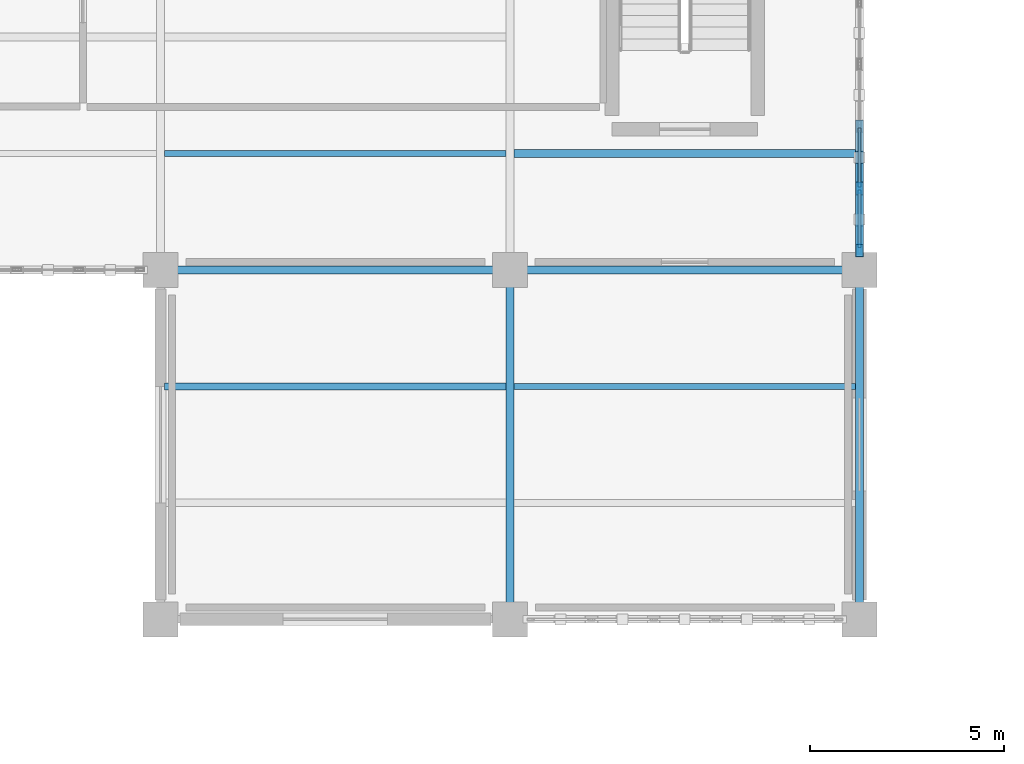
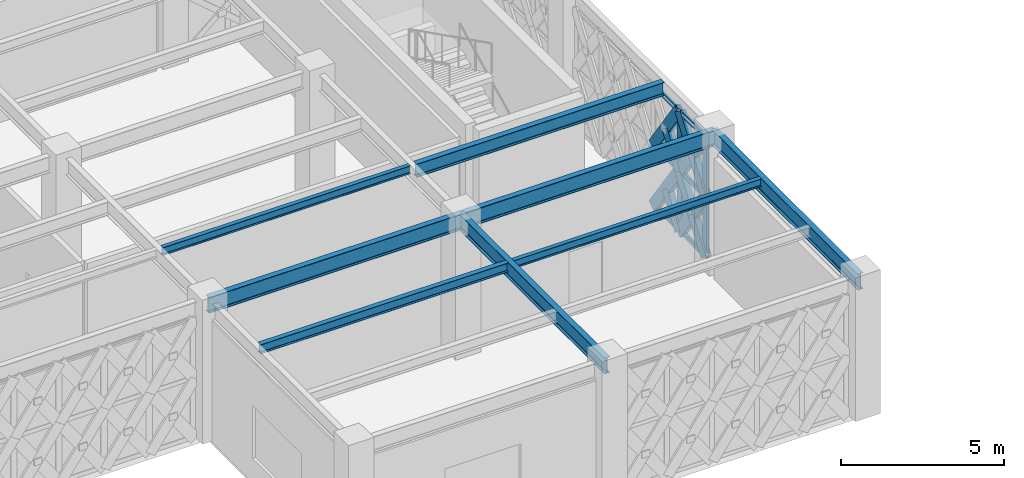
# One storey, part 11 of 166: 18 members, 8 beams, 1 element without a shape of its own.
"""IFC4 building model written with IfcOpenShell, lengths in metres."""

import ifcopenshell
import ifcopenshell.guid

model = None  # the IFC model being written
_history = None  # IfcOwnerHistory: only IFC2X3 demands one
_inside = {}  # id of a spatial element -> (the spatial element, [elements in it])
_under = {}  # id of a project, library or spatial element -> (it, [spatial elements below it])
_declared = {}  # id of a project -> (the project, [libraries it declares])
_typed = {}  # id of a type object -> (the type object, [elements of that type])
_made_of = {}  # id of a material, layer set ... -> (it, [elements and type objects made of it])


def new_model(schema):
    """Start an empty IFC model of exactly this schema.

    Asked for "IFC4X3", IfcOpenShell would pick the latest addendum, in which some entities
    have other attributes; the version numbers below select the first issue.
    IFC2X3 requires an IfcOwnerHistory on every rooted entity: one is made here for all.
    """
    global model, _history
    if schema == "IFC4X3":
        model = ifcopenshell.file(schema_version=(4, 3, 0, 0))
    else:
        model = ifcopenshell.file(schema=schema)
    _inside.clear()
    _under.clear()
    _declared.clear()
    _typed.clear()
    _made_of.clear()
    _history = None
    if model.schema == "IFC2X3":
        org = make("IfcOrganization", Name="unknown")
        user = make(
            "IfcPersonAndOrganization",
            ThePerson=make("IfcPerson", FamilyName="unknown"),
            TheOrganization=org,
        )
        app = make(
            "IfcApplication",
            ApplicationDeveloper=org,
            Version="unknown",
            ApplicationFullName="unknown",
            ApplicationIdentifier="unknown",
        )
        _history = make(
            "IfcOwnerHistory",
            OwningUser=user,
            OwningApplication=app,
            ChangeAction="ADDED",
            CreationDate=0,
        )
    return model


def make(cls, **values):
    """One entity of the class cls with the attributes given. An attribute that is None is left unset."""
    return model.create_entity(
        cls, **{name: value for name, value in values.items() if value is not None}
    )


def rooted(cls, **values):
    """An entity with a GlobalId (a new one), such as an element, a storey or a relation."""
    return make(cls, GlobalId=ifcopenshell.guid.new(), OwnerHistory=_history, **values)


def si_unit(unit_type, name, prefix=None):
    """IfcSIUnit, for example si_unit("LENGTHUNIT", "METRE", prefix="MILLI")."""
    return make("IfcSIUnit", UnitType=unit_type, Prefix=prefix, Name=name)


def assignment(units):
    """IfcUnitAssignment: the units of a project."""
    return None if units is None else make("IfcUnitAssignment", Units=units)


def point(xyz):
    """IfcCartesianPoint."""
    return None if xyz is None else make("IfcCartesianPoint", Coordinates=xyz)


def direction(xyz):
    """IfcDirection."""
    return None if xyz is None else make("IfcDirection", DirectionRatios=xyz)


def frame(location, z_axis=None, x_axis=None):
    """IfcAxis2Placement3D, a coordinate frame: its origin and axes. An axis left out is left unset."""
    return make(
        "IfcAxis2Placement3D",
        Location=point(location),
        Axis=direction(z_axis),
        RefDirection=direction(x_axis),
    )


def frame_2d(location, x_axis=None):
    """IfcAxis2Placement2D, a coordinate frame in the plane: its origin and x axis."""
    return make(
        "IfcAxis2Placement2D", Location=point(location), RefDirection=direction(x_axis)
    )


def origin():
    """The frame at (0, 0, 0) with its axes left unset."""
    return frame((0.0, 0.0, 0.0))


def origin_2d():
    """The frame at (0, 0) in the plane with its x axis left unset."""
    return frame_2d((0.0, 0.0))


def place(relative_to, where):
    """IfcLocalPlacement: puts the frame where relative to a parent placement (None: the world)."""
    return make(
        "IfcLocalPlacement", PlacementRelTo=relative_to, RelativePlacement=where
    )


def context(
    kind, dimensions, precision=None, world=None, true_north=None, identifier=None
):
    """IfcGeometricRepresentationContext, for example the 3D "Model" context."""
    return make(
        "IfcGeometricRepresentationContext",
        ContextIdentifier=identifier,
        ContextType=kind,
        CoordinateSpaceDimension=dimensions,
        Precision=precision,
        WorldCoordinateSystem=world,
        TrueNorth=true_north,
    )


def subcontext(parent, identifier, kind, view, scale=None):
    """IfcGeometricRepresentationSubContext, for example "Body" below "Model"."""
    return make(
        "IfcGeometricRepresentationSubContext",
        ContextIdentifier=identifier,
        ContextType=kind,
        ParentContext=parent,
        TargetScale=scale,
        TargetView=view,
    )


def project(units=None, contexts=None):
    """IfcProject with its units and contexts."""
    return rooted(
        "IfcProject",
        Name="project",
        RepresentationContexts=contexts,
        UnitsInContext=assignment(units),
    )


def spatial(cls, under=None, at=None, **own):
    """A site, building, storey or space (cls), placed at a placement, below another one or the project."""
    s = rooted(cls, ObjectPlacement=at, **own)
    if under is not None:
        _under.setdefault(under.id(), (under, []))[1].append(s)
    return s


def profile(cls, at=None, kind="AREA", **sizes):
    """A parametric profile (cls). Its sizes go by their IFC names, for example OverallWidth=200.0."""
    return make(cls, ProfileType=kind, Position=at, **sizes)


def hollow_rectangle(**sizes):
    """IfcRectangleHollowProfileDef."""
    return profile("IfcRectangleHollowProfileDef", **sizes)


def i_section(**sizes):
    """IfcIShapeProfileDef."""
    return profile("IfcIShapeProfileDef", **sizes)


def extrude(swept, where, along, depth):
    """IfcExtrudedAreaSolid: the profile swept, set in the frame where, extruded along a direction by depth."""
    return make(
        "IfcExtrudedAreaSolid",
        SweptArea=swept,
        Position=where,
        ExtrudedDirection=direction(along),
        Depth=depth,
    )


def shape(context_of_items, identifier, shape_type, items):
    """IfcShapeRepresentation: the items that make up one representation, for example the "Body"."""
    return make(
        "IfcShapeRepresentation",
        ContextOfItems=context_of_items,
        RepresentationIdentifier=identifier,
        RepresentationType=shape_type,
        Items=items,
    )


def material(Name=None, Category=None):
    """IfcMaterial."""
    return make("IfcMaterial", Name=Name, Category=Category)


def material_profile(
    of_material, cross_section, Name=None, Category=None, Priority=None
):
    """IfcMaterialProfile: a cross section and its material."""
    return make(
        "IfcMaterialProfile",
        Name=Name,
        Material=of_material,
        Profile=cross_section,
        Priority=Priority,
        Category=Category,
    )


def profile_set(profiles, Name=None, composite=None):
    """IfcMaterialProfileSet."""
    return make(
        "IfcMaterialProfileSet",
        Name=Name,
        MaterialProfiles=profiles,
        CompositeProfile=composite,
    )


def made_of(thing, what):
    """Note that an element or type object is made of a material, layer set ...; save() writes the relation."""
    if what is not None:
        _made_of.setdefault(what.id(), (what, []))[1].append(thing)
    return thing


def type_object(cls, material=None, **own):
    """A type object (cls), such as IfcWallType, which elements share."""
    return made_of(rooted(cls, **own), material)


def element(
    cls,
    number,
    at=None,
    inside=None,
    cuts=None,
    type_object=None,
    material=None,
    context=None,
    identifier="Body",
    shape_type=None,
    held_by="IfcProductDefinitionShape",
    body=None,
    shapes=None,
    **own,
):
    """One element of the class cls, such as IfcWall. Its Tag is "e" and its number.

    at: its placement. inside: the storey or other place that contains it. cuts: it is an
    opening in that element (IfcRelVoidsElement). A single representation is given by context,
    identifier, shape_type and body (its items); several are given by shapes. held_by: the class
    of the entity that holds the representations. save() writes the other relations.
    """
    e = rooted(cls, Tag="e%d" % number, ObjectPlacement=at, **own)
    if body is not None:
        shapes = [shape(context, identifier, shape_type, body)]
    if shapes is not None:
        e.Representation = make(held_by, Representations=shapes)
    if inside is not None:
        _inside.setdefault(inside.id(), (inside, []))[1].append(e)
    if cuts is not None:
        rooted(
            "IfcRelVoidsElement", RelatingBuildingElement=cuts, RelatedOpeningElement=e
        )
    if type_object is not None:
        _typed.setdefault(type_object.id(), (type_object, []))[1].append(e)
    return made_of(e, material)


def aggregate(whole, parts):
    """IfcRelAggregates: a whole, such as a stair, and the parts it consists of."""
    return rooted("IfcRelAggregates", RelatingObject=whole, RelatedObjects=parts)


def save(model, path):
    """Write the relations noted so far, then the file.

    IfcRelAggregates (storeys below a building ...), IfcRelContainedInSpatialStructure (elements
    in a storey), IfcRelDefinesByType, IfcRelAssociatesMaterial and IfcRelDeclares: one each for
    every whole, place, type object, material and project.
    """
    for whole, parts in _under.values():
        aggregate(whole, parts)
    for where, things in _inside.values():
        rooted(
            "IfcRelContainedInSpatialStructure",
            RelatedElements=things,
            RelatingStructure=where,
        )
    for kind, things in _typed.values():
        rooted("IfcRelDefinesByType", RelatedObjects=things, RelatingType=kind)
    for what, things in _made_of.values():
        rooted("IfcRelAssociatesMaterial", RelatedObjects=things, RelatingMaterial=what)
    for by, libraries in _declared.values():
        rooted("IfcRelDeclares", RelatingContext=by, RelatedDefinitions=libraries)
    model.write(path)


model = new_model("IFC4")

# Units and contexts
model_context = context("Model", 3, precision=1e-05, world=origin(), true_north=direction((0.0, 1.0)))
body_context = subcontext(model_context, "Body", "Model", "MODEL_VIEW")
ifc_project = project(units=[si_unit("LENGTHUNIT", "METRE"), si_unit("AREAUNIT", "SQUARE_METRE"), si_unit("VOLUMEUNIT", "CUBIC_METRE"), si_unit("PLANEANGLEUNIT", "RADIAN"), si_unit("MASSUNIT", "GRAM", prefix="KILO")], contexts=[model_context])

# Site, building, storey
site_placement = place(None, origin())
site = spatial("IfcSite", under=ifc_project, at=site_placement, CompositionType="ELEMENT")
building_placement = place(site_placement, origin())
building = spatial("IfcBuilding", under=site, at=building_placement, Name="Haizhuo Lancet Aquarium", CompositionType="ELEMENT")
storey_placement = place(building_placement, frame((0.0, 0.0, 5.39990234375)))
storey = spatial("IfcBuildingStorey", under=building, at=storey_placement, Name="L01", CompositionType="ELEMENT", Elevation=5.39990234375)

# Beams
ifc_material_1 = material(Name="Steel S355", Category="steel")
ifc_material_profile_1 = material_profile(ifc_material_1, i_section(OverallWidth=0.199951171875, OverallDepth=0.60009765625, WebThickness=0.010986328125, FlangeThickness=0.01708984375, FilletRadius=0.02197265625, at=origin_2d()), Name="HN 600x200x11x17")
ifc_profile_set_1 = profile_set([ifc_material_profile_1], Name="Steel S355")
beam_type_1 = type_object("IfcBeamType", Name="BM-ST-HN600", PredefinedType="BEAM", material=ifc_profile_set_1)
for number, where, z_axis, x_axis, name in (
    (1, (-54.0, -27.0, 4.840087890625), (1.0, 0.0, 0.0), (0.0, 1.0, 0.0), "L01 V6 primary girder BM-L01-V6-017"),
    (2, (-45.0, -36.0, 4.840087890625), (0.0, 1.0, 0.0), (-1.0, 0.0, 0.0), "L01 V6 primary girder BM-L01-V6-021"),
    (3, (-45.0, -27.0, 4.840087890625), (1.0, 0.0, 0.0), (0.0, 1.0, 0.0), "L01 V6 primary girder BM-L01-V6-024"),
    (4, (-36.0, -36.0, 4.840087890625), (0.0, 1.0, 0.0), (-1.0, 0.0, 0.0), "L01 V6 primary girder BM-L01-V6-027"),
):
    element("IfcBeam", number, at=place(storey_placement, frame(where, z_axis=z_axis, x_axis=x_axis)), inside=storey, type_object=beam_type_1, Name=name, PredefinedType="BEAM", context=body_context, shape_type="SweptSolid", body=[
        extrude(i_section(OverallWidth=0.199951171875, OverallDepth=0.60009765625, WebThickness=0.010986328125, FlangeThickness=0.01708984375, FilletRadius=0.02197265625, at=origin_2d()), origin(), (0.0, 0.0, 1.0), 9.0),
    ])

# Curtain wall, members
ifc_material_2 = material(Name="Aluminium 6063-T6", Category="aluminium")
curtain_wall_type = type_object("IfcCurtainWallType", Name="CWD-8010x4540", PredefinedType="NOTDEFINED", material=ifc_material_2)
curtain_wall_placement = place(storey_placement, origin())
curtain_wall = element("IfcCurtainWall", 5, at=curtain_wall_placement, inside=storey, type_object=curtain_wall_type, Name="L01 curtain wall CW-V6-L01-207", PredefinedType="NOTDEFINED")
ifc_material_profile_2 = material_profile(ifc_material_2, hollow_rectangle(XDim=0.080078125, YDim=0.260009765625, WallThickness=0.0048828125, at=origin_2d()), Name="ALU-M 80x260x5")
ifc_profile_set_2 = profile_set([ifc_material_profile_2], Name="Aluminium 6063-T6")
member_type_1 = type_object("IfcMemberType", Name="CW-MUL-3", PredefinedType="MULLION", material=ifc_profile_set_2)
member_1_placement = place(storey_placement, frame((-36.0, -24.903076171875, 0.0), z_axis=(0.0, 0.0, 1.0), x_axis=(1.0, 0.0, 0.0)))
member_1 = element("IfcMember", 6, at=member_1_placement, type_object=member_type_1, Name="CWD-80x45 mullion 5", PredefinedType="MULLION", context=body_context, shape_type="SweptSolid", body=[
    extrude(hollow_rectangle(XDim=0.080078125, YDim=0.260009765625, WallThickness=0.0048828125, at=origin_2d()), origin(), (0.0, 0.0, 1.0), 4.5400390625),
])
member_2_placement = place(storey_placement, frame((-36.0, -26.465087890625, 0.0), z_axis=(0.0, 0.0, 1.0), x_axis=(1.0, 0.0, 0.0)))
member_2 = element("IfcMember", 7, at=member_2_placement, type_object=member_type_1, Name="CWD-80x45 mullion 6", PredefinedType="MULLION", context=body_context, shape_type="SweptSolid", body=[
    extrude(hollow_rectangle(XDim=0.080078125, YDim=0.260009765625, WallThickness=0.0048828125, at=origin_2d()), origin(), (0.0, 0.0, 1.0), 4.5400390625),
])
ifc_material_profile_3 = material_profile(ifc_material_2, hollow_rectangle(XDim=0.080078125, YDim=0.18994140625, WallThickness=0.0048828125, at=origin_2d()), Name="ALU-T 80x190x5")
ifc_profile_set_3 = profile_set([ifc_material_profile_3], Name="Aluminium 6063-T6")
member_type_2 = type_object("IfcMemberType", Name="CW-TRN-3", PredefinedType="NOTDEFINED", material=ifc_profile_set_3)
member_3_placement = place(storey_placement, frame((-36.0, -23.341064453125, 0.0400390625), z_axis=(0.0, -1.0, 0.0), x_axis=(1.0, 0.0, 0.0)))
member_3 = element("IfcMember", 8, at=member_3_placement, type_object=member_type_2, Name="CWD-80x45 transom 4.1", ObjectType="TRANSOM", PredefinedType="USERDEFINED", context=body_context, shape_type="SweptSolid", body=[
    extrude(hollow_rectangle(XDim=0.080078125, YDim=0.18994140625, WallThickness=0.0048828125, at=origin_2d()), origin(), (0.0, 0.0, 1.0), 1.52197265625),
])
member_4_placement = place(storey_placement, frame((-36.0, -23.341064453125, 2.27001953125), z_axis=(0.0, -1.0, 0.0), x_axis=(1.0, 0.0, 0.0)))
member_4 = element("IfcMember", 9, at=member_4_placement, type_object=member_type_2, Name="CWD-80x45 transom 4.2", ObjectType="TRANSOM", PredefinedType="USERDEFINED", context=body_context, shape_type="SweptSolid", body=[
    extrude(hollow_rectangle(XDim=0.080078125, YDim=0.18994140625, WallThickness=0.0048828125, at=origin_2d()), origin(), (0.0, 0.0, 1.0), 1.52197265625),
])
member_5_placement = place(storey_placement, frame((-36.0, -23.341064453125, 4.5), z_axis=(0.0, -1.0, 0.0), x_axis=(1.0, 0.0, 0.0)))
member_5 = element("IfcMember", 10, at=member_5_placement, type_object=member_type_2, Name="CWD-80x45 transom 4.3", ObjectType="TRANSOM", PredefinedType="USERDEFINED", context=body_context, shape_type="SweptSolid", body=[
    extrude(hollow_rectangle(XDim=0.080078125, YDim=0.18994140625, WallThickness=0.0048828125, at=origin_2d()), origin(), (0.0, 0.0, 1.0), 1.52197265625),
])
member_6_placement = place(storey_placement, frame((-36.0, -24.943115234375, 0.0400390625), z_axis=(0.0, -1.0, 0.0), x_axis=(1.0, 0.0, 0.0)))
member_6 = element("IfcMember", 11, at=member_6_placement, type_object=member_type_2, Name="CWD-80x45 transom 5.1", ObjectType="TRANSOM", PredefinedType="USERDEFINED", context=body_context, shape_type="SweptSolid", body=[
    extrude(hollow_rectangle(XDim=0.080078125, YDim=0.18994140625, WallThickness=0.0048828125, at=origin_2d()), origin(), (0.0, 0.0, 1.0), 1.48193359375),
])
member_7_placement = place(storey_placement, frame((-36.0, -24.943115234375, 2.27001953125), z_axis=(0.0, -1.0, 0.0), x_axis=(1.0, 0.0, 0.0)))
member_7 = element("IfcMember", 12, at=member_7_placement, type_object=member_type_2, Name="CWD-80x45 transom 5.2", ObjectType="TRANSOM", PredefinedType="USERDEFINED", context=body_context, shape_type="SweptSolid", body=[
    extrude(hollow_rectangle(XDim=0.080078125, YDim=0.18994140625, WallThickness=0.0048828125, at=origin_2d()), origin(), (0.0, 0.0, 1.0), 1.48193359375),
])
member_8_placement = place(storey_placement, frame((-36.0, -24.943115234375, 4.5), z_axis=(0.0, -1.0, 0.0), x_axis=(1.0, 0.0, 0.0)))
member_8 = element("IfcMember", 13, at=member_8_placement, type_object=member_type_2, Name="CWD-80x45 transom 5.3", ObjectType="TRANSOM", PredefinedType="USERDEFINED", context=body_context, shape_type="SweptSolid", body=[
    extrude(hollow_rectangle(XDim=0.080078125, YDim=0.18994140625, WallThickness=0.0048828125, at=origin_2d()), origin(), (0.0, 0.0, 1.0), 1.48193359375),
])
aggregate(curtain_wall, [member_1, member_2, member_3, member_4, member_5, member_6, member_7, member_8])

# Beams
ifc_material_profile_4 = material_profile(ifc_material_1, i_section(OverallWidth=0.14990234375, OverallDepth=0.300048828125, WebThickness=0.006591796875, FlangeThickness=0.009033203125, FilletRadius=0.012939453125, at=origin_2d()), Name="HN 300x150x6.5x9")
ifc_profile_set_4 = profile_set([ifc_material_profile_4], Name="Steel S355")
beam_type_2 = type_object("IfcBeamType", Name="JST-ST-HN300", PredefinedType="JOIST", material=ifc_profile_set_4)
for number, where, z_axis, x_axis, name in (
    (14, (-53.89990234375, -24.0, 4.989990234375), (1.0, 0.0, 0.0), (0.0, 1.0, 0.0), "L01 V6 secondary floor joist 12"),
    (15, (-44.89990234375, -30.0, 4.989990234375), (1.0, 0.0, 0.0), (0.0, 1.0, 0.0), "L01 V6 secondary floor joist 17"),
):
    element("IfcBeam", number, at=place(storey_placement, frame(where, z_axis=z_axis, x_axis=x_axis)), inside=storey, type_object=beam_type_2, Name=name, PredefinedType="JOIST", context=body_context, shape_type="SweptSolid", body=[
        extrude(i_section(OverallWidth=0.14990234375, OverallDepth=0.300048828125, WebThickness=0.006591796875, FlangeThickness=0.009033203125, FilletRadius=0.012939453125, at=origin_2d()), origin(), (0.0, 0.0, 1.0), 8.7998046875),
    ])
ifc_material_profile_5 = material_profile(ifc_material_1, i_section(OverallWidth=0.175048828125, OverallDepth=0.35009765625, WebThickness=0.007080078125, FlangeThickness=0.010986328125, FilletRadius=0.013916015625, at=origin_2d()), Name="HN 350x175x7x11")
ifc_profile_set_5 = profile_set([ifc_material_profile_5], Name="Steel S355")
beam_type_3 = type_object("IfcBeamType", Name="JST-ST-HN350", PredefinedType="JOIST", material=ifc_profile_set_5)
beam_1_placement = place(storey_placement, frame((-53.89990234375, -30.0, 4.965087890625), z_axis=(1.0, 0.0, 0.0), x_axis=(0.0, 1.0, 0.0)))
element("IfcBeam", 16, at=beam_1_placement, inside=storey, type_object=beam_type_3, Name="L01 V6 secondary floor joist 11", PredefinedType="JOIST", context=body_context, shape_type="SweptSolid", body=[
    extrude(i_section(OverallWidth=0.175048828125, OverallDepth=0.35009765625, WebThickness=0.007080078125, FlangeThickness=0.010986328125, FilletRadius=0.013916015625, at=origin_2d()), origin(), (0.0, 0.0, 1.0), 8.7998046875),
])
ifc_material_profile_6 = material_profile(ifc_material_1, i_section(OverallWidth=0.199951171875, OverallDepth=0.5, WebThickness=0.010009765625, FlangeThickness=0.01611328125, FilletRadius=0.02001953125, at=origin_2d()), Name="HN 500x200x10x16")
ifc_profile_set_6 = profile_set([ifc_material_profile_6], Name="Steel S355")
beam_type_4 = type_object("IfcBeamType", Name="JST-ST-HN500", PredefinedType="JOIST", material=ifc_profile_set_6)
beam_2_placement = place(storey_placement, frame((-44.89990234375, -24.0, 4.89013671875), z_axis=(1.0, 0.0, 0.0), x_axis=(0.0, 1.0, 0.0)))
element("IfcBeam", 17, at=beam_2_placement, inside=storey, type_object=beam_type_4, Name="L01 V6 secondary floor joist 18", PredefinedType="JOIST", context=body_context, shape_type="SweptSolid", body=[
    extrude(i_section(OverallWidth=0.199951171875, OverallDepth=0.5, WebThickness=0.010009765625, FlangeThickness=0.01611328125, FilletRadius=0.02001953125, at=origin_2d()), origin(), (0.0, 0.0, 1.0), 8.7998046875),
])

# Members
ifc_material_profile_7 = material_profile(ifc_material_1, hollow_rectangle(XDim=0.199951171875, YDim=0.39990234375, WallThickness=0.011962890625, at=origin_2d()), Name="RHS 200x400x12")
ifc_profile_set_7 = profile_set([ifc_material_profile_7], Name="Steel S355")
member_type_3 = type_object("IfcMemberType", Name="MEM-LB-RHS200x400", PredefinedType="BRACE", material=ifc_profile_set_7)
member_9_placement = place(storey_placement, frame((-36.0, -23.301025390625, 0.0), z_axis=(0.0, -0.576607297585, 0.817021434463), x_axis=(1.0, 0.0, 0.0)))
element("IfcMember", 18, at=member_9_placement, inside=storey, type_object=member_type_3, Name="Gothic lancet continuous diagonal brace CW-V6-L01-207 7A", PredefinedType="BRACE", context=body_context, shape_type="SweptSolid", body=[
    extrude(hollow_rectangle(XDim=0.199951171875, YDim=0.39990234375, WallThickness=0.011962890625, at=origin_2d()), origin(), (0.0, 0.0, 1.0), 2.7783203125),
])
member_10_placement = place(storey_placement, frame((-36.0, -24.903076171875, 0.0), z_axis=(0.0, 0.576607297585, 0.817021434463), x_axis=(-1.0, 0.0, 0.0)))
element("IfcMember", 19, at=member_10_placement, inside=storey, type_object=member_type_3, Name="Gothic lancet split diagonal brace CW-V6-L01-207 7B1", PredefinedType="BRACE", context=body_context, shape_type="SweptSolid", body=[
    extrude(hollow_rectangle(XDim=0.199951171875, YDim=0.39990234375, WallThickness=0.011962890625, at=origin_2d()), origin(), (0.0, 0.0, 1.0), 1.38916015625),
])
member_11_placement = place(storey_placement, frame((-36.0, -23.301025390625, 2.27001953125), z_axis=(0.0, -0.576607297585, 0.817021434463), x_axis=(1.0, 0.0, 0.0)))
element("IfcMember", 20, at=member_11_placement, inside=storey, type_object=member_type_3, Name="Gothic lancet continuous diagonal brace CW-V6-L01-207 8A", PredefinedType="BRACE", context=body_context, shape_type="SweptSolid", body=[
    extrude(hollow_rectangle(XDim=0.199951171875, YDim=0.39990234375, WallThickness=0.011962890625, at=origin_2d()), origin(), (0.0, 0.0, 1.0), 2.7783203125),
])
member_12_placement = place(storey_placement, frame((-36.0, -24.903076171875, 2.27001953125), z_axis=(0.0, 0.576607297585, 0.817021434463), x_axis=(-1.0, 0.0, 0.0)))
element("IfcMember", 21, at=member_12_placement, inside=storey, type_object=member_type_3, Name="Gothic lancet split diagonal brace CW-V6-L01-207 8B1", PredefinedType="BRACE", context=body_context, shape_type="SweptSolid", body=[
    extrude(hollow_rectangle(XDim=0.199951171875, YDim=0.39990234375, WallThickness=0.011962890625, at=origin_2d()), origin(), (0.0, 0.0, 1.0), 1.38916015625),
])
member_13_placement = place(storey_placement, frame((-36.0, -24.903076171875, 0.0), z_axis=(0.0, -0.576548637348, 0.81706283037), x_axis=(1.0, 0.0, 0.0)))
element("IfcMember", 22, at=member_13_placement, inside=storey, type_object=member_type_3, Name="Gothic lancet continuous diagonal brace CW-V6-L01-207 9A", PredefinedType="BRACE", context=body_context, shape_type="SweptSolid", body=[
    extrude(hollow_rectangle(XDim=0.199951171875, YDim=0.39990234375, WallThickness=0.011962890625, at=origin_2d()), origin(), (0.0, 0.0, 1.0), 2.7783203125),
])
for number, where, z_axis, x_axis, name in (
    (23, (-36.0, -26.5048828125, 0.0), (0.0, 0.576489968194, 0.81710422626), (-1.0, 0.0, 0.0), "Gothic lancet split diagonal brace CW-V6-L01-207 9B1"),
    (24, (-36.0, -25.7041015625, 1.135009765625), (0.0, 0.576607297585, 0.817021434463), (-1.0, 0.0, 0.0), "Gothic lancet split diagonal brace CW-V6-L01-207 9B2"),
):
    element("IfcMember", number, at=place(storey_placement, frame(where, z_axis=z_axis, x_axis=x_axis)), inside=storey, type_object=member_type_3, Name=name, PredefinedType="BRACE", context=body_context, shape_type="SweptSolid", body=[
        extrude(hollow_rectangle(XDim=0.199951171875, YDim=0.39990234375, WallThickness=0.011962890625, at=origin_2d()), origin(), (0.0, 0.0, 1.0), 1.38916015625),
    ])
member_14_placement = place(storey_placement, frame((-36.0, -24.903076171875, 2.27001953125), z_axis=(0.0, -0.576548637348, 0.81706283037), x_axis=(1.0, 0.0, 0.0)))
element("IfcMember", 25, at=member_14_placement, inside=storey, type_object=member_type_3, Name="Gothic lancet continuous diagonal brace CW-V6-L01-207 10A", PredefinedType="BRACE", context=body_context, shape_type="SweptSolid", body=[
    extrude(hollow_rectangle(XDim=0.199951171875, YDim=0.39990234375, WallThickness=0.011962890625, at=origin_2d()), origin(), (0.0, 0.0, 1.0), 2.7783203125),
])
for number, where, z_axis, x_axis, name in (
    (26, (-36.0, -26.5048828125, 2.27001953125), (0.0, 0.576489968194, 0.81710422626), (-1.0, 0.0, 0.0), "Gothic lancet split diagonal brace CW-V6-L01-207 10B1"),
    (27, (-36.0, -25.7041015625, 3.405029296875), (0.0, 0.576607297585, 0.817021434463), (-1.0, 0.0, 0.0), "Gothic lancet split diagonal brace CW-V6-L01-207 10B2"),
):
    element("IfcMember", number, at=place(storey_placement, frame(where, z_axis=z_axis, x_axis=x_axis)), inside=storey, type_object=member_type_3, Name=name, PredefinedType="BRACE", context=body_context, shape_type="SweptSolid", body=[
        extrude(hollow_rectangle(XDim=0.199951171875, YDim=0.39990234375, WallThickness=0.011962890625, at=origin_2d()), origin(), (0.0, 0.0, 1.0), 1.38916015625),
    ])

save(model, "model.ifc")
